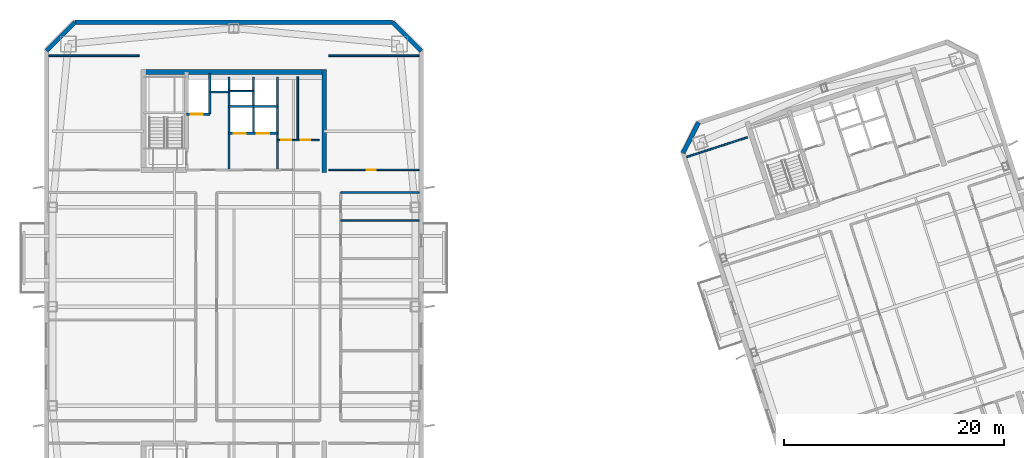
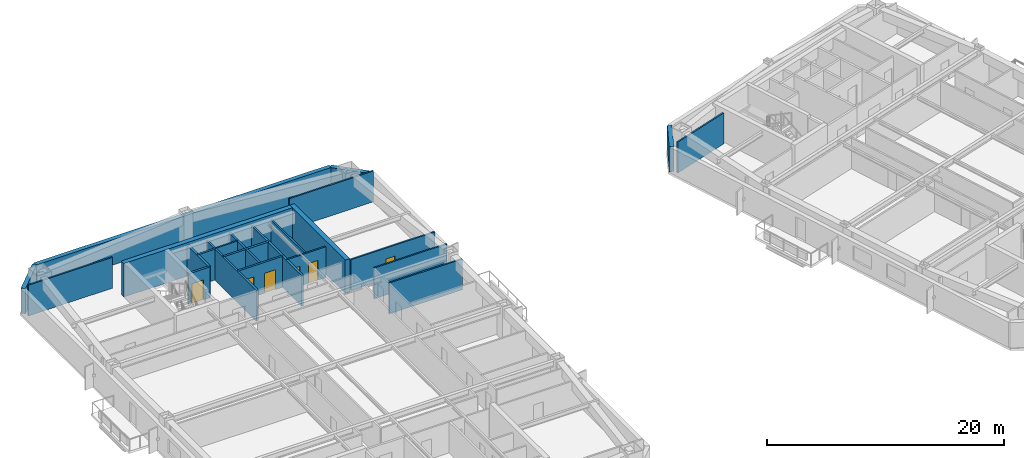
# One storey, part 7 of 17: 23 walls, 6 doors, 6 openings.
"""IFC4 building model written with IfcOpenShell, lengths in metres."""

from ifc_helpers import new_model, si_unit, direction, frame, frame_2d, origin, place, context, subcontext, project, spatial, rectangle, extrude, material, layer, layer_set, type_object, element, fill, save


model = new_model("IFC4")

# Units and contexts
model_context = context("Model", 3, precision=1e-05, world=origin(), true_north=direction((0.0, 1.0)))
body_context = subcontext(model_context, "Body", "Model", "MODEL_VIEW")
ifc_project = project(units=[si_unit("LENGTHUNIT", "METRE"), si_unit("AREAUNIT", "SQUARE_METRE"), si_unit("VOLUMEUNIT", "CUBIC_METRE"), si_unit("PLANEANGLEUNIT", "RADIAN"), si_unit("MASSUNIT", "GRAM", prefix="KILO")], contexts=[model_context])

# Site, building, storey
site_placement = place(None, origin())
site = spatial("IfcSite", under=ifc_project, at=site_placement, CompositionType="ELEMENT")
building_placement = place(site_placement, origin())
building = spatial("IfcBuilding", under=site, at=building_placement, Name="Qiaolan Cultural Towers", CompositionType="ELEMENT")
storey_placement = place(building_placement, frame((0.0, 0.0, 205.85009765625)))
storey = spatial("IfcBuildingStorey", under=building, at=storey_placement, Name="L55", CompositionType="ELEMENT", Elevation=205.85009765625)

# Walls
ifc_material_1 = material(Name="Concrete C50", Category="concrete")
ifc_layer_1 = layer(ifc_material_1, 0.449951171875)
ifc_layer_set_1 = layer_set([ifc_layer_1], Name="Concrete C50")
wall_type_1 = type_object("IfcWallType", Name="WL-CORE-450", PredefinedType="SHEAR", material=ifc_layer_set_1)
wall_1_placement = place(storey_placement, frame((21.574951171875, 55.280029296875, 0.0), z_axis=(0.0, 0.0, 1.0), x_axis=(1.0, 0.0, 0.0)))
element("IfcWall", 1, at=wall_1_placement, inside=storey, type_object=wall_type_1, Name="L55 T1-CN Outer Core Shear Wall", PredefinedType="SHEAR", context=body_context, shape_type="SweptSolid", body=[
    extrude(rectangle(XDim=16.85009765625, YDim=0.449951171875, at=frame_2d((8.425048828125, 0.0))), origin(), (0.0, 0.0, 1.0), 3.449951171875),
])
wall_2_placement = place(storey_placement, frame((38.199951171875, 46.175048828125, 0.0), z_axis=(0.0, 0.0, 1.0), x_axis=(0.0, 1.0, 0.0)))
element("IfcWall", 2, at=wall_2_placement, inside=storey, type_object=wall_type_1, Name="L55 T1-CN East Core Shear Wall", PredefinedType="SHEAR", context=body_context, shape_type="SweptSolid", body=[
    extrude(rectangle(XDim=9.329833984375, YDim=0.449951171875, at=frame_2d((4.6650390625, 0.0))), origin(), (0.0, 0.0, 1.0), 3.449951171875),
])
ifc_material_2 = material(Name="Precast Concrete C50 Honed Stone Pier", Category="masonry")
ifc_layer_2 = layer(ifc_material_2, 0.39990234375)
ifc_layer_set_2 = layer_set([ifc_layer_2], Name="Precast Concrete C50 Honed Stone Pier")
wall_type_2 = type_object("IfcWallType", Name="WL-EXT-PIER-400", PredefinedType="SOLIDWALL", material=ifc_layer_set_2)
wall_3_placement = place(storey_placement, frame((13.0, 57.199951171875, 0.0), z_axis=(0.0, 0.0, 1.0), x_axis=(0.707106781187, 0.707106781187, 0.0)))
element("IfcWall", 3, at=wall_3_placement, inside=storey, type_object=wall_type_2, Name="L55 West Tower Precast Pier Facade Wall F2", PredefinedType="SOLIDWALL", context=body_context, shape_type="SweptSolid", body=[
    extrude(rectangle(XDim=3.677001953125, YDim=0.39990234375, at=frame_2d((1.83837890625, 0.0))), origin(), (0.0, 0.0, 1.0), 2.60986328125),
])
wall_4_placement = place(storey_placement, frame((15.60009765625, 59.800048828125, 0.0), z_axis=(0.0, 0.0, 1.0), x_axis=(1.0, 0.0, 0.0)))
element("IfcWall", 4, at=wall_4_placement, inside=storey, type_object=wall_type_2, Name="L55 West Tower Precast Pier Facade Wall F3", PredefinedType="SOLIDWALL", context=body_context, shape_type="SweptSolid", body=[
    extrude(rectangle(XDim=28.7998046875, YDim=0.39990234375, at=frame_2d((14.39990234375, 0.0))), origin(), (0.0, 0.0, 1.0), 2.60986328125),
])
wall_5_placement = place(storey_placement, frame((44.39990234375, 59.800048828125, 0.0), z_axis=(0.0, 0.0, 1.0), x_axis=(0.707106781187, -0.707106781187, 0.0)))
element("IfcWall", 5, at=wall_5_placement, inside=storey, type_object=wall_type_2, Name="L55 West Tower Precast Pier Facade Wall F4", PredefinedType="SOLIDWALL", context=body_context, shape_type="SweptSolid", body=[
    extrude(rectangle(XDim=3.677001953125, YDim=0.39990234375, at=frame_2d((1.83837890625, 0.0))), origin(), (0.0, 0.0, 1.0), 2.60986328125),
])
wall_6_placement = place(storey_placement, frame((70.752197265625, 47.93408203125, 0.0), z_axis=(0.0, 0.0, 1.0), x_axis=(0.453949291228, 0.891027519774, 0.0)))
element("IfcWall", 6, at=wall_6_placement, inside=storey, type_object=wall_type_2, Name="L55 East Tower Precast Pier Facade Wall F2", PredefinedType="SOLIDWALL", context=body_context, shape_type="SweptSolid", body=[
    extrude(rectangle(XDim=3.111328125, YDim=0.39990234375, at=frame_2d((1.5556640625, 0.0))), origin(), (0.0, 0.0, 1.0), 2.60986328125),
])
ifc_material_3 = material(Name="Concrete C35 Fire Wall", Category="concrete")
ifc_layer_3 = layer(ifc_material_3, 0.199951171875)
ifc_layer_set_3 = layer_set([ifc_layer_3], Name="Concrete C35 Fire Wall")
wall_type_3 = type_object("IfcWallType", Name="WL-FIRE-200", PredefinedType="PARTITIONING", material=ifc_layer_set_3)
wall_7_placement = place(storey_placement, frame((29.550048828125, 46.39990234375, 0.0), z_axis=(0.0, 0.0, 1.0), x_axis=(0.0, 1.0, 0.0)))
element("IfcWall", 7, at=wall_7_placement, inside=storey, type_object=wall_type_3, Name="L55 T1-CN Firefighting Zone Wall", PredefinedType="PARTITIONING", context=body_context, shape_type="SweptSolid", body=[
    extrude(rectangle(XDim=8.43017578125, YDim=0.199951171875, at=frame_2d((4.215087890625, 0.0))), origin(), (0.0, 0.0, 1.0), 3.1748046875),
])

# Wall, opening, door
wall_8_placement = place(storey_placement, frame((25.719970703125, 51.449951171875, 0.0), z_axis=(0.0, 0.0, 1.0), x_axis=(1.0, 0.0, 0.0)))
wall_8 = element("IfcWall", 8, at=wall_8_placement, inside=storey, type_object=wall_type_3, Name="L55 T1-CN Firefighting Shaft Front Wall", PredefinedType="PARTITIONING", context=body_context, shape_type="SweptSolid", body=[
    extrude(rectangle(XDim=2.10009765625, YDim=0.199951171875, at=frame_2d((1.050048828125, 0.0))), origin(), (0.0, 0.0, 1.0), 3.1748046875),
])
opening_1_placement = place(wall_8_placement, frame((0.35009765625, 0.0, 0.0)))
opening_1 = element("IfcOpeningElement", 9, at=opening_1_placement, cuts=wall_8, Name="Opening LD-01", PredefinedType="OPENING", context=body_context, shape_type="SweptSolid", body=[
    extrude(rectangle(XDim=1.10009765625, YDim=2.050048828125, at=frame_2d((0.550048828125, 1.02490234375))), frame((0.0, 0.10986328125, 0.0), z_axis=(0.0, -1.0, 0.0), x_axis=(1.0, 0.0, 0.0)), (0.0, 0.0, 1.0), 0.219970703125),
])
ifc_material_4 = material(Name="Brushed Stainless Steel S30408 Centre-Parting Lift Landing Door", Category="steel")
door_type_1 = type_object("IfcDoorType", Name="DR-LIFT-1100", OperationType="NOTDEFINED", PredefinedType="DOOR", material=ifc_material_4)
door_1_placement = place(opening_1_placement, origin())
door_1 = element("IfcDoor", 10, at=door_1_placement, inside=storey, type_object=door_type_1, Name="L55 FFL-W2 Firefighting Lift Landing Door", OperationType="DOUBLE_DOOR_SLIDING", OverallHeight=2.050048828125, OverallWidth=1.10009765625, PredefinedType="DOOR", context=body_context, shape_type="SweptSolid", body=[
    extrude(rectangle(XDim=1.10009765625, YDim=2.050048828125, at=frame_2d((0.550048828125, 1.02490234375))), frame((0.0, 0.02490234375, 0.0), z_axis=(0.0, -1.0, 0.0), x_axis=(1.0, 0.0, 0.0)), (0.0, 0.0, 1.0), 0.050048828125),
])
fill(opening_1, door_1)

# Walls
wall_9_placement = place(storey_placement, frame((27.820068359375, 51.449951171875, 0.0), z_axis=(0.0, 0.0, 1.0), x_axis=(0.0, 1.0, 0.0)))
element("IfcWall", 11, at=wall_9_placement, inside=storey, type_object=wall_type_3, Name="L55 T1-CN Firefighting Hoistway East Wall", PredefinedType="PARTITIONING", context=body_context, shape_type="SweptSolid", body=[
    extrude(rectangle(XDim=3.699951171875, YDim=0.199951171875, at=frame_2d((1.85009765625, 0.0))), origin(), (0.0, 0.0, 1.0), 3.1748046875),
])
wall_10_placement = place(storey_placement, frame((27.820068359375, 53.47998046875, 0.0), z_axis=(0.0, 0.0, 1.0), x_axis=(1.0, 0.0, 0.0)))
element("IfcWall", 12, at=wall_10_placement, inside=storey, type_object=wall_type_3, Name="L55 T1-CN Pressurization Shaft Front Wall", PredefinedType="PARTITIONING", context=body_context, shape_type="SweptSolid", body=[
    extrude(rectangle(XDim=1.72998046875, YDim=0.199951171875, at=frame_2d((0.864990234375, 0.0))), origin(), (0.0, 0.0, 1.0), 3.1748046875),
])
wall_11_placement = place(storey_placement, frame((33.949951171875, 46.39990234375, 0.0), z_axis=(0.0, 0.0, 1.0), x_axis=(0.0, 1.0, 0.0)))
element("IfcWall", 13, at=wall_11_placement, inside=storey, type_object=wall_type_3, Name="L55 T1-CN Lift Core East Wall", PredefinedType="PARTITIONING", context=body_context, shape_type="SweptSolid", body=[
    extrude(rectangle(XDim=8.43017578125, YDim=0.199951171875, at=frame_2d((4.215087890625, 0.0))), origin(), (0.0, 0.0, 1.0), 3.1748046875),
])

# Wall, openings, doors
wall_12_placement = place(storey_placement, frame((29.550048828125, 49.719970703125, 0.0), z_axis=(0.0, 0.0, 1.0), x_axis=(1.0, 0.0, 0.0)))
wall_12 = element("IfcWall", 14, at=wall_12_placement, inside=storey, type_object=wall_type_3, Name="L55 T1-CN Passenger Lift Shaft Front Wall", PredefinedType="PARTITIONING", context=body_context, shape_type="SweptSolid", body=[
    extrude(rectangle(XDim=4.39990234375, YDim=0.199951171875, at=frame_2d((2.199951171875, 0.0))), origin(), (0.0, 0.0, 1.0), 3.1748046875),
])
opening_2_placement = place(wall_12_placement, frame((0.449951171875, 0.0, 0.0)))
opening_2 = element("IfcOpeningElement", 15, at=opening_2_placement, cuts=wall_12, Name="Opening LD-01", PredefinedType="OPENING", context=body_context, shape_type="SweptSolid", body=[
    extrude(rectangle(XDim=1.10009765625, YDim=2.050048828125, at=frame_2d((0.550048828125, 1.02490234375))), frame((0.0, 0.10986328125, 0.0), z_axis=(0.0, -1.0, 0.0), x_axis=(1.0, 0.0, 0.0)), (0.0, 0.0, 1.0), 0.219970703125),
])
opening_3_placement = place(wall_12_placement, frame((2.550048828125, 0.0, 0.0)))
opening_3 = element("IfcOpeningElement", 16, at=opening_3_placement, cuts=wall_12, Name="Opening LD-01", PredefinedType="OPENING", context=body_context, shape_type="SweptSolid", body=[
    extrude(rectangle(XDim=1.10009765625, YDim=2.050048828125, at=frame_2d((0.550048828125, 1.02490234375))), frame((0.0, 0.10986328125, 0.0), z_axis=(0.0, -1.0, 0.0), x_axis=(1.0, 0.0, 0.0)), (0.0, 0.0, 1.0), 0.219970703125),
])
door_2_placement = place(opening_2_placement, origin())
door_2 = element("IfcDoor", 17, at=door_2_placement, inside=storey, type_object=door_type_1, Name="L55 Passenger Lift 1 Landing Door", OperationType="DOUBLE_DOOR_SLIDING", OverallHeight=2.050048828125, OverallWidth=1.10009765625, PredefinedType="DOOR", context=body_context, shape_type="SweptSolid", body=[
    extrude(rectangle(XDim=1.10009765625, YDim=2.050048828125, at=frame_2d((0.550048828125, 1.02490234375))), frame((0.0, 0.02490234375, 0.0), z_axis=(0.0, -1.0, 0.0), x_axis=(1.0, 0.0, 0.0)), (0.0, 0.0, 1.0), 0.050048828125),
])
fill(opening_2, door_2)
door_3_placement = place(opening_3_placement, origin())
door_3 = element("IfcDoor", 18, at=door_3_placement, inside=storey, type_object=door_type_1, Name="L55 Passenger Lift 2 Landing Door", OperationType="DOUBLE_DOOR_SLIDING", OverallHeight=2.050048828125, OverallWidth=1.10009765625, PredefinedType="DOOR", context=body_context, shape_type="SweptSolid", body=[
    extrude(rectangle(XDim=1.10009765625, YDim=2.050048828125, at=frame_2d((0.550048828125, 1.02490234375))), frame((0.0, 0.02490234375, 0.0), z_axis=(0.0, -1.0, 0.0), x_axis=(1.0, 0.0, 0.0)), (0.0, 0.0, 1.0), 0.050048828125),
])
fill(opening_3, door_3)

# Walls
wall_13_placement = place(storey_placement, frame((31.780029296875, 49.719970703125, 0.0), z_axis=(0.0, 0.0, 1.0), x_axis=(0.0, 1.0, 0.0)))
element("IfcWall", 19, at=wall_13_placement, inside=storey, type_object=wall_type_3, Name="L55 T1-CN Lift Shaft Divider Wall", PredefinedType="PARTITIONING", context=body_context, shape_type="SweptSolid", body=[
    extrude(rectangle(XDim=5.110107421875, YDim=0.199951171875, at=frame_2d((2.55517578125, 0.0))), origin(), (0.0, 0.0, 1.0), 3.1748046875),
])
wall_14_placement = place(storey_placement, frame((29.550048828125, 52.14990234375, 0.0), z_axis=(0.0, 0.0, 1.0), x_axis=(1.0, 0.0, 0.0)))
element("IfcWall", 20, at=wall_14_placement, inside=storey, type_object=wall_type_3, Name="L55 T1-CN Passenger Lift Shaft Back Wall", PredefinedType="PARTITIONING", context=body_context, shape_type="SweptSolid", body=[
    extrude(rectangle(XDim=4.39990234375, YDim=0.199951171875, at=frame_2d((2.199951171875, 0.0))), origin(), (0.0, 0.0, 1.0), 3.1748046875),
])
ifc_material_5 = material(Name="Autoclaved Aerated Concrete Block B06", Category="concrete")
ifc_layer_4 = layer(ifc_material_5, 0.14990234375)
ifc_layer_set_4 = layer_set([ifc_layer_4], Name="Autoclaved Aerated Concrete Block B06")
wall_type_4 = type_object("IfcWallType", Name="WL-PART-150", PredefinedType="PARTITIONING", material=ifc_layer_set_4)
wall_15_placement = place(storey_placement, frame((29.550048828125, 53.550048828125, 0.0), z_axis=(0.0, 0.0, 1.0), x_axis=(1.0, 0.0, 0.0)))
element("IfcWall", 21, at=wall_15_placement, inside=storey, type_object=wall_type_4, Name="L55 T1-CN Core Rear Riser Split", PredefinedType="PARTITIONING", context=body_context, shape_type="SweptSolid", body=[
    extrude(rectangle(XDim=2.22998046875, YDim=0.14990234375, at=frame_2d((1.114990234375, 0.0))), origin(), (0.0, 0.0, 1.0), 3.1748046875),
])

# Wall, openings, doors
wall_16_placement = place(storey_placement, frame((33.949951171875, 49.10009765625, 0.0), z_axis=(0.0, 0.0, 1.0), x_axis=(1.0, 0.0, 0.0)))
wall_16 = element("IfcWall", 22, at=wall_16_placement, inside=storey, type_object=wall_type_4, Name="L55 T1-CN Restroom Vestibule Wall", PredefinedType="PARTITIONING", context=body_context, shape_type="SweptSolid", body=[
    extrude(rectangle(XDim=3.800048828125, YDim=0.14990234375, at=frame_2d((1.89990234375, 0.0))), origin(), (0.0, 0.0, 1.0), 3.1748046875),
])
opening_4_placement = place(wall_16_placement, frame((0.35009765625, 0.0, 0.0)))
opening_4 = element("IfcOpeningElement", 23, at=opening_4_placement, cuts=wall_16, Name="Opening ID-06", PredefinedType="OPENING", context=body_context, shape_type="SweptSolid", body=[
    extrude(rectangle(XDim=0.89990234375, YDim=2.050048828125, at=frame_2d((0.449951171875, 1.02490234375))), frame((0.0, 0.0849609375, 0.0), z_axis=(0.0, -1.0, 0.0), x_axis=(1.0, 0.0, 0.0)), (0.0, 0.0, 1.0), 0.169921875),
])
opening_5_placement = place(wall_16_placement, frame((2.10009765625, 0.0, 0.0)))
opening_5 = element("IfcOpeningElement", 24, at=opening_5_placement, cuts=wall_16, Name="Opening ID-06", PredefinedType="OPENING", context=body_context, shape_type="SweptSolid", body=[
    extrude(rectangle(XDim=0.89990234375, YDim=2.050048828125, at=frame_2d((0.449951171875, 1.02490234375))), frame((0.0, 0.0849609375, 0.0), z_axis=(0.0, -1.0, 0.0), x_axis=(1.0, 0.0, 0.0)), (0.0, 0.0, 1.0), 0.169921875),
])
ifc_material_6 = material(Name="Fire-Rated Laminate Core Service Door", Category="timber")
door_type_2 = type_object("IfcDoorType", Name="DR-INT-900", OperationType="NOTDEFINED", PredefinedType="DOOR", material=ifc_material_6)
door_4_placement = place(opening_4_placement, origin())
door_4 = element("IfcDoor", 25, at=door_4_placement, inside=storey, type_object=door_type_2, Name="L55 Men Restroom Door", OperationType="SINGLE_SWING_LEFT", OverallHeight=2.050048828125, OverallWidth=0.89990234375, PredefinedType="DOOR", context=body_context, shape_type="SweptSolid", body=[
    extrude(rectangle(XDim=0.89990234375, YDim=2.050048828125, at=frame_2d((0.449951171875, 1.02490234375))), frame((0.0, 0.02490234375, 0.0), z_axis=(0.0, -1.0, 0.0), x_axis=(1.0, 0.0, 0.0)), (0.0, 0.0, 1.0), 0.050048828125),
])
fill(opening_4, door_4)
door_5_placement = place(opening_5_placement, origin())
door_5 = element("IfcDoor", 26, at=door_5_placement, inside=storey, type_object=door_type_2, Name="L55 Accessible & Women Restroom Door", OperationType="SINGLE_SWING_RIGHT", OverallHeight=2.050048828125, OverallWidth=0.89990234375, PredefinedType="DOOR", context=body_context, shape_type="SweptSolid", body=[
    extrude(rectangle(XDim=0.89990234375, YDim=2.050048828125, at=frame_2d((0.449951171875, 1.02490234375))), frame((0.0, 0.02490234375, 0.0), z_axis=(0.0, -1.0, 0.0), x_axis=(1.0, 0.0, 0.0)), (0.0, 0.0, 1.0), 0.050048828125),
])
fill(opening_5, door_5)

# Walls
wall_17_placement = place(storey_placement, frame((35.800048828125, 49.10009765625, 0.0), z_axis=(0.0, 0.0, 1.0), x_axis=(0.0, 1.0, 0.0)))
element("IfcWall", 27, at=wall_17_placement, inside=storey, type_object=wall_type_4, Name="L55 T1-CN Restroom Divider Wall", PredefinedType="PARTITIONING", context=body_context, shape_type="SweptSolid", body=[
    extrude(rectangle(XDim=5.72998046875, YDim=0.14990234375, at=frame_2d((2.864990234375, 0.0))), origin(), (0.0, 0.0, 1.0), 3.1748046875),
])
for number, where, z_axis, x_axis, name in (
    (28, (13.199951171875, 56.75, 0.0), (0.0, 0.0, 1.0), (1.0, 0.0, 0.0), "L55 T1 Flank Wall FLK-NW"),
    (29, (38.60009765625, 56.75, 0.0), (0.0, 0.0, 1.0), (1.0, 0.0, 0.0), "L55 T1 Flank Wall FLK-NE"),
):
    element("IfcWall", number, at=place(storey_placement, frame(where, z_axis=z_axis, x_axis=x_axis)), inside=storey, type_object=wall_type_4, Name=name, PredefinedType="PARTITIONING", context=body_context, shape_type="SweptSolid", body=[
        extrude(rectangle(XDim=8.199951171875, YDim=0.14990234375, at=frame_2d((4.10009765625, 0.0))), origin(), (0.0, 0.0, 1.0), 3.1748046875),
    ])

# Wall, opening, door
wall_18_placement = place(storey_placement, frame((38.60009765625, 46.39990234375, 0.0), z_axis=(0.0, 0.0, 1.0), x_axis=(1.0, 0.0, 0.0)))
wall_18 = element("IfcWall", 30, at=wall_18_placement, inside=storey, type_object=wall_type_4, Name="L55 T1 Flank Front FLK-NE", PredefinedType="PARTITIONING", context=body_context, shape_type="SweptSolid", body=[
    extrude(rectangle(XDim=8.199951171875, YDim=0.14990234375, at=frame_2d((4.10009765625, 0.0))), origin(), (0.0, 0.0, 1.0), 3.1748046875),
])
opening_6_placement = place(wall_18_placement, frame((3.444091796875, 0.0, 0.0)))
opening_6 = element("IfcOpeningElement", 31, at=opening_6_placement, cuts=wall_18, Name="Opening ID-09", PredefinedType="OPENING", context=body_context, shape_type="SweptSolid", body=[
    extrude(rectangle(XDim=0.85009765625, YDim=2.050048828125, at=frame_2d((0.425048828125, 1.02490234375))), frame((0.0, 0.0849609375, 0.0), z_axis=(0.0, -1.0, 0.0), x_axis=(1.0, 0.0, 0.0)), (0.0, 0.0, 1.0), 0.169921875),
])
ifc_material_7 = material(Name="Moisture-Resistant Laminate Utility Door", Category="timber")
door_type_3 = type_object("IfcDoorType", Name="DR-INT-850", OperationType="NOTDEFINED", PredefinedType="DOOR", material=ifc_material_7)
door_6_placement = place(opening_6_placement, origin())
door_6 = element("IfcDoor", 32, at=door_6_placement, inside=storey, type_object=door_type_3, Name="L55 T1 Corner Studio Door", OperationType="SINGLE_SWING_LEFT", OverallHeight=2.050048828125, OverallWidth=0.85009765625, PredefinedType="DOOR", context=body_context, shape_type="SweptSolid", body=[
    extrude(rectangle(XDim=0.85009765625, YDim=2.050048828125, at=frame_2d((0.425048828125, 1.02490234375))), frame((0.0, 0.02490234375, 0.0), z_axis=(0.0, -1.0, 0.0), x_axis=(1.0, 0.0, 0.0)), (0.0, 0.0, 1.0), 0.050048828125),
])
fill(opening_6, door_6)

# Walls
for number, where, z_axis, x_axis, name in (
    (33, (39.699951171875, 44.35009765625, 0.0), (0.0, 0.0, 1.0), (1.0, 0.0, 0.0), "L55 T1 Interior Wall"),
    (34, (39.699951171875, 41.800048828125, 0.0), (0.0, 0.0, 1.0), (1.0, 0.0, 0.0), "L55 T1 Interior Wall"),
):
    element("IfcWall", number, at=place(storey_placement, frame(where, z_axis=z_axis, x_axis=x_axis)), inside=storey, type_object=wall_type_4, Name=name, PredefinedType="PARTITIONING", context=body_context, shape_type="SweptSolid", body=[
        extrude(rectangle(XDim=7.10009765625, YDim=0.14990234375, at=frame_2d((3.550048828125, 0.0))), origin(), (0.0, 0.0, 1.0), 3.1748046875),
    ])
wall_19_placement = place(storey_placement, frame((71.081298828125, 47.56787109375, 0.0), z_axis=(0.0, 0.0, 1.0), x_axis=(0.951059431056, 0.309008023519, 0.0)))
element("IfcWall", 35, at=wall_19_placement, inside=storey, type_object=wall_type_4, Name="L55 T2 Flank Wall FLK-NW", PredefinedType="PARTITIONING", context=body_context, shape_type="SweptSolid", body=[
    extrude(rectangle(XDim=5.800048828125, YDim=0.14990234375, at=frame_2d((2.89990234375, 0.0))), origin(), (0.0, 0.0, 1.0), 3.1748046875),
])

save(model, "model.ifc")
